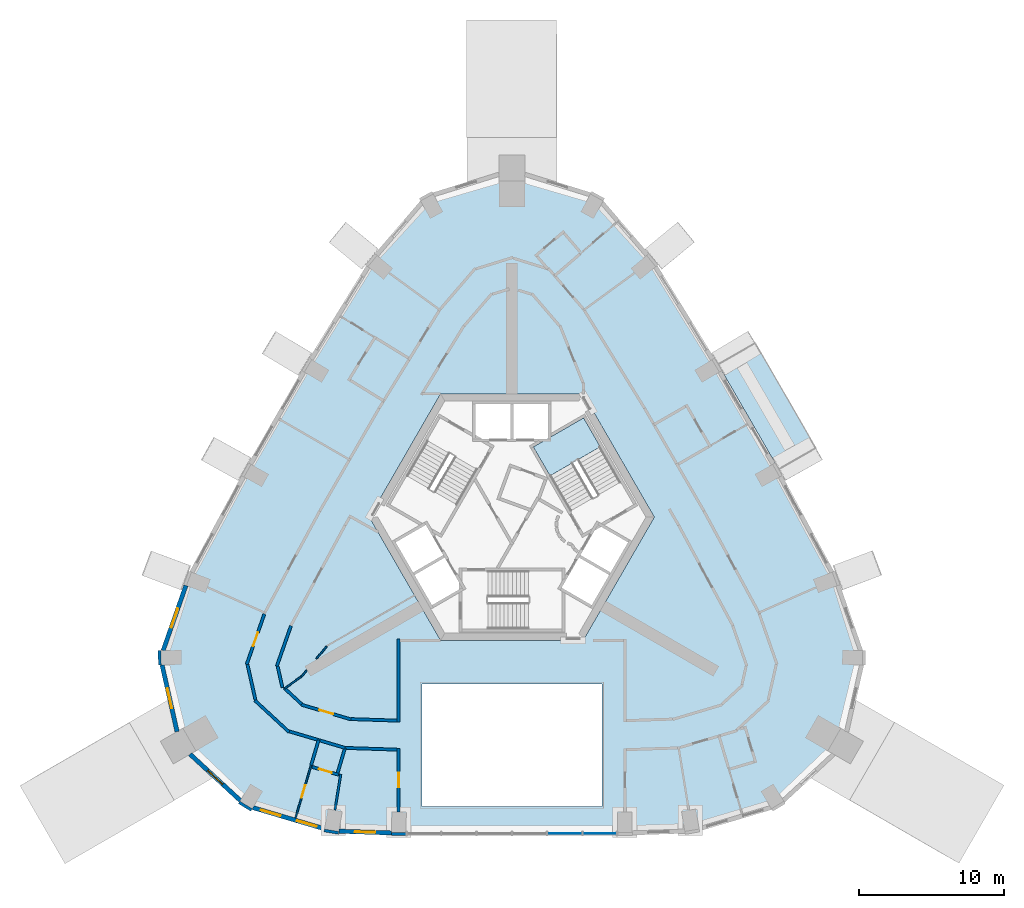
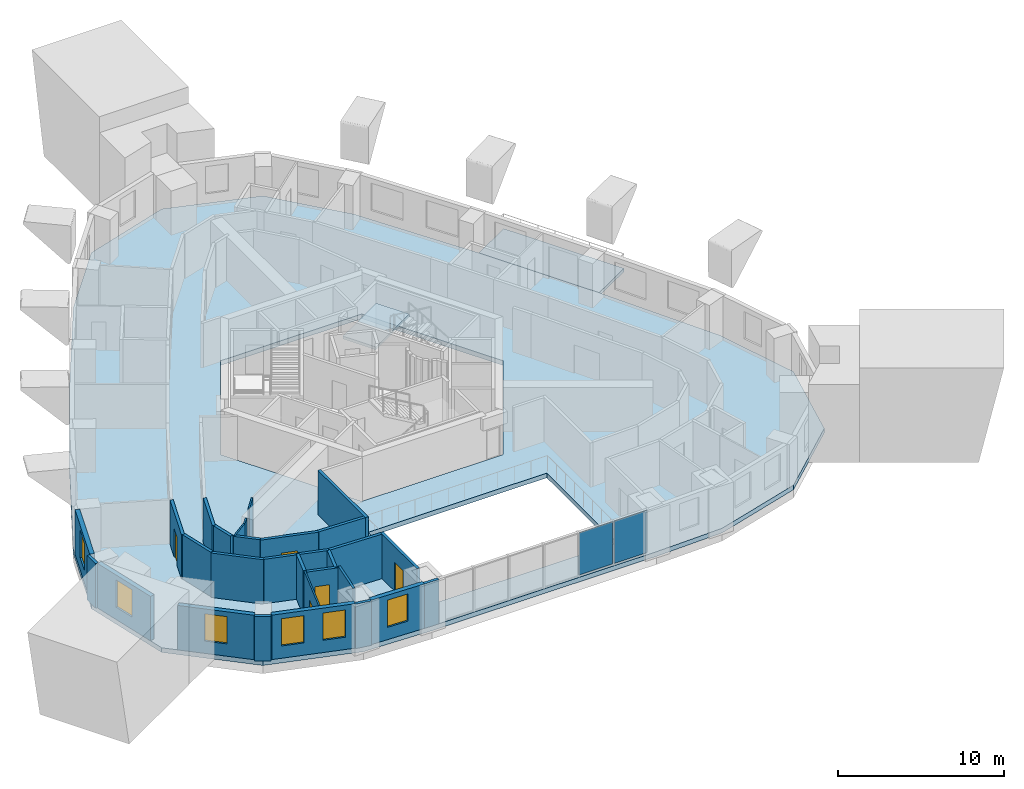
# One storey, part 3 of 11: 30 walls, 6 windows, 5 doors, 3 slabs, 2 plates, 11 openings, 2 elements without a shape of their own.
"""IFC4 building model written with IfcOpenShell, lengths in metres."""

from ifc_helpers import new_model, si_unit, direction, frame, frame_2d, origin, origin_2d, place, context, subcontext, project, spatial, polyline, rectangle, outline, extrude, material, layer, layer_set, type_object, element, fill, aggregate, save


model = new_model("IFC4")

# Units and contexts
model_context = context("Model", 3, precision=1e-05, world=origin(), true_north=direction((0.0, 1.0)))
body_context = subcontext(model_context, "Body", "Model", "MODEL_VIEW")
ifc_project = project(units=[si_unit("LENGTHUNIT", "METRE"), si_unit("AREAUNIT", "SQUARE_METRE"), si_unit("VOLUMEUNIT", "CUBIC_METRE"), si_unit("PLANEANGLEUNIT", "RADIAN"), si_unit("MASSUNIT", "GRAM", prefix="KILO")], contexts=[model_context])

# Site, building, storey
site_placement = place(None, origin())
site = spatial("IfcSite", under=ifc_project, at=site_placement, CompositionType="ELEMENT")
building_placement = place(site_placement, origin())
building = spatial("IfcBuilding", under=site, at=building_placement, Name="Entoto Arch Interchange Tower", CompositionType="ELEMENT")
storey_placement = place(building_placement, frame((0.0, 0.0, 318.800048828125)))
storey = spatial("IfcBuildingStorey", under=building, at=storey_placement, Name="L75", CompositionType="ELEMENT", Elevation=318.800048828125)

# Slab
ifc_material_1 = material(Name="Board-marked precast concrete C50/60", Category="concrete")
ifc_layer_1 = layer(ifc_material_1, 0.25)
ifc_layer_set_1 = layer_set([ifc_layer_1], Name="Board-marked precast concrete C50/60")
slab_type_1 = type_object("IfcSlabType", Name="BALCONY DECK PRECAST 250", PredefinedType="FLOOR", material=ifc_layer_set_1)
slab_1_placement = place(storey_placement, frame((0.0, 0.0, -0.25)))
element("IfcSlab", 1, at=slab_1_placement, inside=storey, type_object=slab_type_1, Name="Planted balcony NE-02 L75", PredefinedType="FLOOR", context=body_context, shape_type="SweptSolid", body=[
    extrude(outline(polyline([(18.385986328125, 5.797119140625), (14.212890625, 13.02392578125), (16.76806640625, 14.4990234375), (20.94091796875, 7.27197265625), (18.385986328125, 5.797119140625)])), origin(), (0.0, 0.0, 1.0), 0.25),
])

# Stair, slab
ifc_material_2 = material(Name="Concrete C40/50", Category="concrete")
stair_type = type_object("IfcStairType", Name="EXIT STAIR RC 1800", PredefinedType="HALF_TURN_STAIR", material=ifc_material_2)
stair_placement = place(storey_placement, origin())
stair = element("IfcStair", 2, at=stair_placement, inside=storey, type_object=stair_type, Name="L75 Exit stair NE", PredefinedType="HALF_TURN_STAIR")
ifc_layer_2 = layer(ifc_material_2, 0.199951171875)
ifc_layer_set_2 = layer_set([ifc_layer_2], Name="Concrete C40/50")
slab_type_2 = type_object("IfcSlabType", Name="EXIT STAIR LANDING RC 200", PredefinedType="LANDING", material=ifc_layer_set_2)
slab_2_placement = place(storey_placement, frame((0.0, 0.0, 1.599853515625)))
slab_2 = element("IfcSlab", 3, at=slab_2_placement, type_object=slab_type_2, Name="ST-NE landing 1", PredefinedType="LANDING", context=body_context, shape_type="SweptSolid", body=[
    extrude(outline(polyline([(6.093505859375, 7.345947265625), (4.943359375, 9.337890625), (1.479248046875, 7.337890625), (2.62939453125, 5.345947265625), (6.093505859375, 7.345947265625)])), origin(), (0.0, 0.0, 1.0), 0.2001953125),
])
aggregate(stair, [slab_2])

# Curtain wall, plates
ifc_material_3 = material(Name="Aluminium, anodised", Category="aluminium")
curtain_wall_type = type_object("IfcCurtainWallType", Name="CURTAIN WALL ATRIUM", PredefinedType="NOTDEFINED", material=ifc_material_3)
curtain_wall_placement = place(storey_placement, origin())
curtain_wall = element("IfcCurtainWall", 4, at=curtain_wall_placement, inside=storey, type_object=curtain_wall_type, Name="Atrium glazing S-02 L75", PredefinedType="NOTDEFINED")
ifc_material_4 = material(Name="Clear glass, low-e double glazed", Category="glass")
ifc_layer_3 = layer(ifc_material_4, 0.031982421875)
ifc_layer_set_3 = layer_set([ifc_layer_3], Name="Clear glass, low-e double glazed")
plate_type = type_object("IfcPlateType", Name="GLAZING PANEL ATRIUM 32", PredefinedType="CURTAIN_PANEL", material=ifc_layer_set_3)
plate_1_placement = place(storey_placement, frame((3.64892578125, -19.302978515625, 0.079833984375), z_axis=(0.0, 0.0, 1.0), x_axis=(1.0, 0.0, 0.0)))
plate_1 = element("IfcPlate", 5, at=plate_1_placement, type_object=plate_type, Name="CWA panel 5.1", PredefinedType="CURTAIN_PANEL", context=body_context, shape_type="SweptSolid", body=[
    extrude(rectangle(XDim=2.332763671875, YDim=0.031982421875, at=origin_2d()), origin(), (0.0, 0.0, 1.0), 3.10009765625),
])
plate_2_placement = place(storey_placement, frame((6.056640625, -19.302978515625, 0.079833984375), z_axis=(0.0, 0.0, 1.0), x_axis=(1.0, 0.0, 0.0)))
plate_2 = element("IfcPlate", 6, at=plate_2_placement, type_object=plate_type, Name="CWA panel 6.1", PredefinedType="CURTAIN_PANEL", context=body_context, shape_type="SweptSolid", body=[
    extrude(rectangle(XDim=2.28271484375, YDim=0.031982421875, at=origin_2d()), origin(), (0.0, 0.0, 1.0), 3.10009765625),
])
aggregate(curtain_wall, [plate_1, plate_2])

# Slab
ifc_layer_4 = layer(ifc_material_2, 0.340087890625)
ifc_layer_set_4 = layer_set([ifc_layer_4], Name="Concrete C40/50")
slab_type_3 = type_object("IfcSlabType", Name="Post-tensioned flat plate 340 C40/50", PredefinedType="FLOOR", material=ifc_layer_set_4)
slab_3_placement = place(storey_placement, frame((0.0, 0.0, -0.340087890625)))
element("IfcSlab", 7, at=slab_3_placement, inside=storey, type_object=slab_type_3, Name="Floor slab L75", PredefinedType="FLOOR", context=body_context, shape_type="SweptSolid", body=[
    extrude(outline(polyline([(-12.447998046875, -19.27197265625), (-7.800048828125, -19.427978515625), (7.800048828125, -19.427978515625), (12.447998046875, -19.27197265625), (18.41796875, -17.501953125), (22.99609375, -13.277099609375), (24.365966796875, -7.198974609375), (22.43310546875, -1.68798828125), (18.385986328125, 5.797119140625), (14.212890625, 13.02392578125), (9.75390625, 20.27197265625), (5.947998046875, 24.700927734375), (0.0, 26.552978515625), (-5.947998046875, 24.700927734375), (-9.75390625, 20.27197265625), (-14.212890625, 13.02392578125), (-18.385986328125, 5.797119140625), (-22.43310546875, -1.68798828125), (-24.365966796875, -7.198974609375), (-22.99609375, -13.277099609375), (-18.41796875, -17.501953125), (-12.447998046875, -19.27197265625)]), holes=[polyline([(6.199951171875, -17.427978515625), (6.199951171875, -9.0), (-6.199951171875, -9.0), (-6.199951171875, -17.427978515625), (6.199951171875, -17.427978515625)]), polyline([(9.81494140625, 2.5), (4.906982421875, 11.0), (-4.906982421875, 11.0), (-9.81494140625, 2.5), (-4.906982421875, -6.0), (4.906982421875, -6.0), (9.81494140625, 2.5)])]), origin(), (0.0, 0.0, 1.0), 0.340087890625),
])

# Walls
ifc_material_5 = material(Name="Gypsum board partition on steel studs", Category="steel")
ifc_layer_5 = layer(ifc_material_5, 0.10009765625)
ifc_layer_set_5 = layer_set([ifc_layer_5], Name="Gypsum board partition on steel studs")
wall_type_1 = type_object("IfcWallType", Name="PARTITION 100", PredefinedType="PARTITIONING", material=ifc_layer_set_5)
wall_1_placement = place(storey_placement, frame((-12.7529296875, -6.39892578125, 0.0), z_axis=(0.0, 0.0, 1.0), x_axis=(-0.640077503072, -0.768310347491, 0.0)))
element("IfcWall", 8, at=wall_1_placement, inside=storey, type_object=wall_type_1, Name="wall:L75:p078", PredefinedType="PARTITIONING", context=body_context, shape_type="SweptSolid", body=[
    extrude(rectangle(XDim=1.123291015625, YDim=0.10009765625, at=frame_2d((0.5615234375, 0.0))), origin(), (0.0, 0.0, 1.0), 3.260009765625),
])
wall_2_placement = place(storey_placement, frame((-14.507080078125, -8.486083984375, 0.0), z_axis=(0.0, 0.0, 1.0), x_axis=(-0.812782900134, -0.582566697684, 0.0)))
element("IfcWall", 9, at=wall_2_placement, inside=storey, type_object=wall_type_1, Name="wall:L75:p079", PredefinedType="PARTITIONING", context=body_context, shape_type="SweptSolid", body=[
    extrude(rectangle(XDim=1.4072265625, YDim=0.10009765625, at=frame_2d((0.70361328125, 0.0))), origin(), (0.0, 0.0, 1.0), 3.260009765625),
])

# Wall, opening, door
wall_3_placement = place(storey_placement, frame((-13.827880859375, -14.5869140625, 0.0), z_axis=(0.0, 0.0, 1.0), x_axis=(-0.284245833657, -0.958751430794, 0.0)))
wall_3 = element("IfcWall", 10, at=wall_3_placement, inside=storey, type_object=wall_type_1, Name="wall:L75:p104", PredefinedType="PARTITIONING", context=body_context, shape_type="SweptSolid", body=[
    extrude(rectangle(XDim=3.7998046875, YDim=0.10009765625, at=frame_2d((1.89990234375, 0.0))), origin(), (0.0, 0.0, 1.0), 3.260009765625),
])
opening_1_placement = place(wall_3_placement, frame((1.449951171875, 0.0, 0.0)))
opening_1 = element("IfcOpeningElement", 11, at=opening_1_placement, cuts=wall_3, Name="Opening L75-D14", PredefinedType="OPENING", context=body_context, shape_type="SweptSolid", body=[
    extrude(rectangle(XDim=0.89990234375, YDim=2.10009765625, at=frame_2d((0.449951171875, 1.050048828125))), frame((0.0, 0.06005859375, 0.0), z_axis=(0.0, -1.0, 0.0), x_axis=(1.0, 0.0, 0.0)), (0.0, 0.0, 1.0), 0.1201171875),
])
ifc_material_6 = material(Name="Timber door leaf in Steel S235 frame", Category="steel")
door_type_1 = type_object("IfcDoorType", Name="DOOR DS-09 900x2100", OperationType="SINGLE_SWING_LEFT", PredefinedType="DOOR", material=ifc_material_6)
door_1_placement = place(opening_1_placement, origin())
door_1 = element("IfcDoor", 12, at=door_1_placement, inside=storey, type_object=door_type_1, Name="door:L75:14", OperationType="SINGLE_SWING_RIGHT", OverallHeight=2.10009765625, OverallWidth=0.89990234375, PredefinedType="DOOR", context=body_context, shape_type="SweptSolid", body=[
    extrude(rectangle(XDim=0.89990234375, YDim=2.10009765625, at=frame_2d((0.449951171875, 1.050048828125))), frame((0.0, 0.02490234375, 0.0), z_axis=(0.0, -1.0, 0.0), x_axis=(1.0, 0.0, 0.0)), (0.0, 0.0, 1.0), 0.050048828125),
])
fill(opening_1, door_1)

# Walls
wall_4_placement = place(storey_placement, frame((-14.133056640625, -8.055908203125, 0.0), z_axis=(0.0, 0.0, 1.0), x_axis=(-0.640142394154, -0.768256282244, 0.0)))
element("IfcWall", 13, at=wall_4_placement, inside=storey, type_object=wall_type_1, Name="wall:L75:p078", PredefinedType="PARTITIONING", context=body_context, shape_type="SweptSolid", body=[
    extrude(rectangle(XDim=0.57177734375, YDim=0.10009765625, at=frame_2d((0.285888671875, 0.0))), origin(), (0.0, 0.0, 1.0), 3.260009765625),
])
ifc_layer_6 = layer(ifc_material_5, 0.14990234375)
ifc_layer_set_6 = layer_set([ifc_layer_6], Name="Gypsum board partition on steel studs")
wall_type_2 = type_object("IfcWallType", Name="PARTITION 150", PredefinedType="PARTITIONING", material=ifc_layer_set_6)
wall_5_placement = place(storey_placement, frame((-11.7900390625, -15.216064453125, 0.0), z_axis=(0.0, 0.0, 1.0), x_axis=(-0.159880010227, -0.98713645578, 0.0)))
element("IfcWall", 14, at=wall_5_placement, inside=storey, type_object=wall_type_2, Name="wall:L75:p107", PredefinedType="PARTITIONING", context=body_context, shape_type="SweptSolid", body=[
    extrude(rectangle(XDim=2.489013671875, YDim=0.14990234375, at=frame_2d((1.24462890625, 0.0))), origin(), (0.0, 0.0, 1.0), 3.260009765625),
])
ifc_layer_7 = layer(ifc_material_5, 0.199951171875)
ifc_layer_set_7 = layer_set([ifc_layer_7], Name="Gypsum board partition on steel studs")
wall_type_3 = type_object("IfcWallType", Name="PARTITION 200", PredefinedType="PARTITIONING", material=ifc_layer_set_7)
wall_6_placement = place(storey_placement, frame((-15.218994140625, -4.988037109375, 0.0), z_axis=(0.0, 0.0, 1.0), x_axis=(-0.330981563235, -0.943637220969, 0.0)))
element("IfcWall", 15, at=wall_6_placement, inside=storey, type_object=wall_type_3, Name="wall:L75:p023", PredefinedType="PARTITIONING", context=body_context, shape_type="SweptSolid", body=[
    extrude(rectangle(XDim=2.946044921875, YDim=0.199951171875, at=frame_2d((1.47314453125, 0.0))), origin(), (0.0, 0.0, 1.0), 3.260009765625),
])
wall_7_placement = place(storey_placement, frame((-16.138916015625, -7.77197265625, 0.0), z_axis=(0.0, 0.0, 1.0), x_axis=(0.220111291919, -0.975474766034, 0.0)))
element("IfcWall", 16, at=wall_7_placement, inside=storey, type_object=wall_type_3, Name="wall:L75:p024", PredefinedType="PARTITIONING", context=body_context, shape_type="SweptSolid", body=[
    extrude(rectangle(XDim=1.5029296875, YDim=0.199951171875, at=frame_2d((0.75146484375, 0.0))), origin(), (0.0, 0.0, 1.0), 3.260009765625),
])
wall_8_placement = place(storey_placement, frame((-15.68701171875, -9.27197265625, 0.0), z_axis=(0.0, 0.0, 1.0), x_axis=(0.734946370973, -0.67812523312, 0.0)))
element("IfcWall", 17, at=wall_8_placement, inside=storey, type_object=wall_type_3, Name="wall:L75:p026", PredefinedType="PARTITIONING", context=body_context, shape_type="SweptSolid", body=[
    extrude(rectangle(XDim=1.636962890625, YDim=0.199951171875, at=frame_2d((0.818359375, 0.0))), origin(), (0.0, 0.0, 1.0), 3.260009765625),
])

# Wall, opening, door
wall_9_placement = place(storey_placement, frame((-14.506103515625, -10.422119140625, 0.0), z_axis=(0.0, 0.0, 1.0), x_axis=(0.958760241353, -0.284216114252, 0.0)))
wall_9 = element("IfcWall", 18, at=wall_9_placement, inside=storey, type_object=wall_type_3, Name="wall:L75:p027", PredefinedType="PARTITIONING", context=body_context, shape_type="SweptSolid", body=[
    extrude(rectangle(XDim=3.57763671875, YDim=0.199951171875, at=frame_2d((1.788818359375, 0.0))), origin(), (0.0, 0.0, 1.0), 3.260009765625),
])
opening_2_placement = place(wall_9_placement, frame((1.2890625, 0.0, 0.0)))
opening_2 = element("IfcOpeningElement", 19, at=opening_2_placement, cuts=wall_9, Name="Opening L75-D23", PredefinedType="OPENING", context=body_context, shape_type="SweptSolid", body=[
    extrude(rectangle(XDim=1.0, YDim=2.10009765625, at=frame_2d((0.5, 1.050048828125))), frame((0.0, 0.10986328125, 0.0), z_axis=(0.0, -1.0, 0.0), x_axis=(1.0, 0.0, 0.0)), (0.0, 0.0, 1.0), 0.219970703125),
])
door_type_2 = type_object("IfcDoorType", Name="DOOR DS-10 1000x2100", OperationType="SINGLE_SWING_LEFT", PredefinedType="DOOR", material=ifc_material_6)
door_2_placement = place(opening_2_placement, origin())
door_2 = element("IfcDoor", 20, at=door_2_placement, inside=storey, type_object=door_type_2, Name="door:L75:23", OperationType="SINGLE_SWING_RIGHT", OverallHeight=2.10009765625, OverallWidth=1.0, PredefinedType="DOOR", context=body_context, shape_type="SweptSolid", body=[
    extrude(rectangle(XDim=1.0, YDim=2.10009765625, at=frame_2d((0.5, 1.050048828125))), frame((0.0, 0.02490234375, 0.0), z_axis=(0.0, -1.0, 0.0), x_axis=(1.0, 0.0, 0.0)), (0.0, 0.0, 1.0), 0.050048828125),
])
fill(opening_2, door_2)

# Walls
wall_10_placement = place(storey_placement, frame((-11.072021484375, -11.4140625, 0.0), z_axis=(0.0, 0.0, 1.0), x_axis=(0.999442599499, -0.033383982774, 0.0)))
element("IfcWall", 21, at=wall_10_placement, inside=storey, type_object=wall_type_3, Name="wall:L75:p028", PredefinedType="PARTITIONING", context=body_context, shape_type="SweptSolid", body=[
    extrude(rectangle(XDim=3.173828125, YDim=0.199951171875, at=frame_2d((1.5869140625, 0.0))), origin(), (0.0, 0.0, 1.0), 3.260009765625),
])
wall_11_placement = place(storey_placement, frame((-13.219970703125, -12.888916015625, 0.0), z_axis=(0.0, 0.0, 1.0), x_axis=(-0.958789155152, 0.284118559693, 0.0)))
element("IfcWall", 22, at=wall_11_placement, inside=storey, type_object=wall_type_3, Name="wall:L75:p051", PredefinedType="PARTITIONING", context=body_context, shape_type="SweptSolid", body=[
    extrude(rectangle(XDim=2.19970703125, YDim=0.199951171875, at=frame_2d((1.099853515625, 0.0))), origin(), (0.0, 0.0, 1.0), 3.260009765625),
])
wall_12_placement = place(storey_placement, frame((-15.35205078125, -12.302978515625, 0.0), z_axis=(0.0, 0.0, 1.0), x_axis=(-0.734786003021, 0.67829899732, 0.0)))
element("IfcWall", 23, at=wall_12_placement, inside=storey, type_object=wall_type_3, Name="wall:L75:p052", PredefinedType="PARTITIONING", context=body_context, shape_type="SweptSolid", body=[
    extrude(rectangle(XDim=3.219970703125, YDim=0.199951171875, at=frame_2d((1.60986328125, 0.0))), origin(), (0.0, 0.0, 1.0), 3.260009765625),
])
wall_13_placement = place(storey_placement, frame((-17.666015625, -10.090087890625, 0.0), z_axis=(0.0, 0.0, 1.0), x_axis=(-0.219979161162, 0.975504571314, 0.0)))
element("IfcWall", 24, at=wall_13_placement, inside=storey, type_object=wall_type_3, Name="wall:L75:p053", PredefinedType="PARTITIONING", context=body_context, shape_type="SweptSolid", body=[
    extrude(rectangle(XDim=2.50048828125, YDim=0.199951171875, at=frame_2d((1.250244140625, 0.0))), origin(), (0.0, 0.0, 1.0), 3.260009765625),
])

# Wall, opening, door
wall_14_placement = place(storey_placement, frame((-18.27099609375, -7.64794921875, 0.0), z_axis=(0.0, 0.0, 1.0), x_axis=(0.33112192567, 0.943587977001, 0.0)))
wall_14 = element("IfcWall", 25, at=wall_14_placement, inside=storey, type_object=wall_type_3, Name="wall:L75:p054", PredefinedType="PARTITIONING", context=body_context, shape_type="SweptSolid", body=[
    extrude(rectangle(XDim=3.678466796875, YDim=0.199951171875, at=frame_2d((1.83935546875, 0.0))), origin(), (0.0, 0.0, 1.0), 3.260009765625),
])
opening_3_placement = place(wall_14_placement, frame((1.339111328125, 0.0, 0.0)))
opening_3 = element("IfcOpeningElement", 26, at=opening_3_placement, cuts=wall_14, Name="Opening L75-D13", PredefinedType="OPENING", context=body_context, shape_type="SweptSolid", body=[
    extrude(rectangle(XDim=1.0, YDim=2.10009765625, at=frame_2d((0.5, 1.050048828125))), frame((0.0, 0.10986328125, 0.0), z_axis=(0.0, -1.0, 0.0), x_axis=(1.0, 0.0, 0.0)), (0.0, 0.0, 1.0), 0.219970703125),
])
ifc_material_7 = material(Name="Fire-rated Steel S235 door and frame", Category="steel")
door_type_3 = type_object("IfcDoorType", Name="DOOR FD-10 1000x2100", OperationType="SINGLE_SWING_LEFT", PredefinedType="DOOR", material=ifc_material_7)
door_3_placement = place(opening_3_placement, origin())
door_3 = element("IfcDoor", 27, at=door_3_placement, inside=storey, type_object=door_type_3, Name="door:L75:13", OperationType="SINGLE_SWING_LEFT", OverallHeight=2.10009765625, OverallWidth=1.0, PredefinedType="DOOR", context=body_context, shape_type="SweptSolid", body=[
    extrude(rectangle(XDim=1.0, YDim=2.10009765625, at=frame_2d((0.5, 1.050048828125))), frame((0.0, 0.02490234375, 0.0), z_axis=(0.0, -1.0, 0.0), x_axis=(1.0, 0.0, 0.0)), (0.0, 0.0, 1.0), 0.050048828125),
])
fill(opening_3, door_3)

# Walls
wall_15_placement = place(storey_placement, frame((-11.4951171875, -13.40087890625, 0.0), z_axis=(0.0, 0.0, 1.0), x_axis=(-0.958662482938, 0.284545679649, 0.0)))
element("IfcWall", 28, at=wall_15_placement, inside=storey, type_object=wall_type_3, Name="wall:L75:p055", PredefinedType="PARTITIONING", context=body_context, shape_type="SweptSolid", body=[
    extrude(rectangle(XDim=1.79931640625, YDim=0.199951171875, at=frame_2d((0.899658203125, 0.0))), origin(), (0.0, 0.0, 1.0), 3.260009765625),
])
wall_16_placement = place(storey_placement, frame((-7.89990234375, -13.52099609375, 0.0), z_axis=(0.0, 0.0, 1.0), x_axis=(-0.999437184802, 0.033545694739, 0.0)))
element("IfcWall", 29, at=wall_16_placement, inside=storey, type_object=wall_type_3, Name="wall:L75:p056", PredefinedType="PARTITIONING", context=body_context, shape_type="SweptSolid", body=[
    extrude(rectangle(XDim=3.697265625, YDim=0.199951171875, at=frame_2d((1.8486328125, 0.0))), origin(), (0.0, 0.0, 1.0), 3.260009765625),
])
wall_17_placement = place(storey_placement, frame((-7.800048828125, -11.6240234375, 0.0), z_axis=(0.0, 0.0, 1.0), x_axis=(0.0, 1.0, 0.0)))
element("IfcWall", 30, at=wall_17_placement, inside=storey, type_object=wall_type_3, Name="wall:L75:p071", PredefinedType="PARTITIONING", context=body_context, shape_type="SweptSolid", body=[
    extrude(rectangle(XDim=5.72509765625, YDim=0.199951171875, at=frame_2d((2.862548828125, 0.0))), origin(), (0.0, 0.0, 1.0), 3.260009765625),
])

# Wall, opening, door
wall_18_placement = place(storey_placement, frame((-7.800048828125, -17.80810546875, 0.0), z_axis=(0.0, 0.0, 1.0), x_axis=(0.0, 1.0, 0.0)))
wall_18 = element("IfcWall", 31, at=wall_18_placement, inside=storey, type_object=wall_type_3, Name="wall:L75:p074", PredefinedType="PARTITIONING", context=body_context, shape_type="SweptSolid", body=[
    extrude(rectangle(XDim=4.383056640625, YDim=0.199951171875, at=frame_2d((2.19140625, 0.0))), origin(), (0.0, 0.0, 1.0), 3.260009765625),
])
opening_4_placement = place(wall_18_placement, frame((1.69091796875, 0.0, 0.0)))
opening_4 = element("IfcOpeningElement", 32, at=opening_4_placement, cuts=wall_18, Name="Opening L75-D18", PredefinedType="OPENING", context=body_context, shape_type="SweptSolid", body=[
    extrude(rectangle(XDim=1.0, YDim=2.10009765625, at=frame_2d((0.5, 1.050048828125))), frame((0.0, 0.10986328125, 0.0), z_axis=(0.0, -1.0, 0.0), x_axis=(1.0, 0.0, 0.0)), (0.0, 0.0, 1.0), 0.219970703125),
])
door_4_placement = place(opening_4_placement, origin())
door_4 = element("IfcDoor", 33, at=door_4_placement, inside=storey, type_object=door_type_2, Name="door:L75:18", OperationType="SINGLE_SWING_LEFT", OverallHeight=2.10009765625, OverallWidth=1.0, PredefinedType="DOOR", context=body_context, shape_type="SweptSolid", body=[
    extrude(rectangle(XDim=1.0, YDim=2.10009765625, at=frame_2d((0.5, 1.050048828125))), frame((0.0, 0.02490234375, 0.0), z_axis=(0.0, -1.0, 0.0), x_axis=(1.0, 0.0, 0.0)), (0.0, 0.0, 1.0), 0.050048828125),
])
fill(opening_4, door_4)

# Wall
wall_19_placement = place(storey_placement, frame((-13.31591796875, -12.861083984375, 0.0), z_axis=(0.0, 0.0, 1.0), x_axis=(-0.283898972531, -0.958854198195, 0.0)))
element("IfcWall", 34, at=wall_19_placement, inside=storey, type_object=wall_type_3, Name="wall:L75:p105", PredefinedType="PARTITIONING", context=body_context, shape_type="SweptSolid", body=[
    extrude(rectangle(XDim=1.7998046875, YDim=0.199951171875, at=frame_2d((0.89990234375, 0.0))), origin(), (0.0, 0.0, 1.0), 3.260009765625),
])

# Wall, opening, door
wall_20_placement = place(storey_placement, frame((-13.760009765625, -14.7109375, 0.0), z_axis=(0.0, 0.0, 1.0), x_axis=(0.958772187895, -0.284175811285, 0.0)))
wall_20 = element("IfcWall", 35, at=wall_20_placement, inside=storey, type_object=wall_type_3, Name="wall:L75:p106", PredefinedType="PARTITIONING", context=body_context, shape_type="SweptSolid", body=[
    extrude(rectangle(XDim=1.900390625, YDim=0.199951171875, at=frame_2d((0.9501953125, 0.0))), origin(), (0.0, 0.0, 1.0), 3.260009765625),
])
opening_5_placement = place(wall_20_placement, frame((0.5, 0.0, 0.0)))
opening_5 = element("IfcOpeningElement", 36, at=opening_5_placement, cuts=wall_20, Name="Opening L75-D15", PredefinedType="OPENING", context=body_context, shape_type="SweptSolid", body=[
    extrude(rectangle(XDim=0.89990234375, YDim=2.10009765625, at=frame_2d((0.449951171875, 1.050048828125))), frame((0.0, 0.10986328125, 0.0), z_axis=(0.0, -1.0, 0.0), x_axis=(1.0, 0.0, 0.0)), (0.0, 0.0, 1.0), 0.219970703125),
])
door_5_placement = place(opening_5_placement, origin())
door_5 = element("IfcDoor", 37, at=door_5_placement, inside=storey, type_object=door_type_1, Name="door:L75:15", OperationType="SINGLE_SWING_LEFT", OverallHeight=2.10009765625, OverallWidth=0.89990234375, PredefinedType="DOOR", context=body_context, shape_type="SweptSolid", body=[
    extrude(rectangle(XDim=0.89990234375, YDim=2.10009765625, at=frame_2d((0.449951171875, 1.050048828125))), frame((0.0, 0.02490234375, 0.0), z_axis=(0.0, -1.0, 0.0), x_axis=(1.0, 0.0, 0.0)), (0.0, 0.0, 1.0), 0.050048828125),
])
fill(opening_5, door_5)

# Wall
wall_21_placement = place(storey_placement, frame((-11.4951171875, -13.40087890625, 0.0), z_axis=(0.0, 0.0, 1.0), x_axis=(-0.284465432667, -0.958686297815, 0.0)))
element("IfcWall", 38, at=wall_21_placement, inside=storey, type_object=wall_type_3, Name="wall:L75:p108", PredefinedType="PARTITIONING", context=body_context, shape_type="SweptSolid", body=[
    extrude(rectangle(XDim=1.87353515625, YDim=0.199951171875, at=frame_2d((0.936767578125, 0.0))), origin(), (0.0, 0.0, 1.0), 3.260009765625),
])

# Wall, opening, window
ifc_material_8 = material(Name="Welded tuff (ignimbrite) cladding, warm buff", Category="masonry")
ifc_layer_8 = layer(ifc_material_8, 0.300048828125)
ifc_layer_set_8 = layer_set([ifc_layer_8], Name="Welded tuff (ignimbrite) cladding, warm buff")
wall_type_4 = type_object("IfcWallType", Name="STONE INFILL WALL 300", PredefinedType="STANDARD", material=ifc_layer_set_8)
wall_22_placement = place(storey_placement, frame((-11.9189453125, -19.139892578125, 0.0), z_axis=(0.0, 0.0, 1.0), x_axis=(0.999441913039, -0.033404527552, 0.0)))
wall_22 = element("IfcWall", 39, at=wall_22_placement, inside=storey, type_object=wall_type_4, Name="Facade wall S-01 L75", PredefinedType="STANDARD", context=body_context, shape_type="SweptSolid", body=[
    extrude(rectangle(XDim=3.625, YDim=0.300048828125, at=frame_2d((1.8125, 0.0))), origin(), (0.0, 0.0, 1.0), 3.260009765625),
])
opening_6_placement = place(wall_22_placement, frame((1.113037109375, 0.0, 0.89990234375)))
opening_6 = element("IfcOpeningElement", 40, at=opening_6_placement, cuts=wall_22, Name="Opening WH-B", PredefinedType="OPENING", context=body_context, shape_type="SweptSolid", body=[
    extrude(rectangle(XDim=1.39990234375, YDim=2.0, at=frame_2d((0.699951171875, 1.0))), frame((0.0, 0.16015625, 0.0), z_axis=(0.0, -1.0, 0.0), x_axis=(1.0, 0.0, 0.0)), (0.0, 0.0, 1.0), 0.320068359375),
])
window_type = type_object("IfcWindowType", Name="WINDOW WH-B 1400x2000", PartitioningType="DOUBLE_PANEL_VERTICAL", PredefinedType="WINDOW", material=ifc_material_4)
window_1_placement = place(opening_6_placement, origin())
window_1 = element("IfcWindow", 41, at=window_1_placement, inside=storey, type_object=window_type, Name="Window WH-B S-01 L75", OverallHeight=2.0, OverallWidth=1.39990234375, PartitioningType="SINGLE_PANEL", PredefinedType="WINDOW", context=body_context, shape_type="SweptSolid", body=[
    extrude(rectangle(XDim=1.39990234375, YDim=2.0, at=frame_2d((0.699951171875, 1.0))), frame((0.0, 0.030029296875, 0.0), z_axis=(0.0, -1.0, 0.0), x_axis=(1.0, 0.0, 0.0)), (0.0, 0.0, 1.0), 0.06005859375),
])
fill(opening_6, window_1)

wall_23_placement = place(storey_placement, frame((-22.4580078125, -2.2119140625, 0.0), z_axis=(0.0, 0.0, 1.0), x_axis=(-0.330923030855, -0.943657749213, 0.0)))
wall_23 = element("IfcWall", 42, at=wall_23_placement, inside=storey, type_object=wall_type_4, Name="Facade wall SW-01 L75", PredefinedType="STANDARD", context=body_context, shape_type="SweptSolid", body=[
    extrude(rectangle(XDim=4.74755859375, YDim=0.300048828125, at=frame_2d((2.373779296875, 0.0))), origin(), (0.0, 0.0, 1.0), 3.260009765625),
])
opening_7_placement = place(wall_23_placement, frame((1.674072265625, 0.0, 0.89990234375)))
opening_7 = element("IfcOpeningElement", 43, at=opening_7_placement, cuts=wall_23, Name="Opening WH-B", PredefinedType="OPENING", context=body_context, shape_type="SweptSolid", body=[
    extrude(rectangle(XDim=1.39990234375, YDim=2.0, at=frame_2d((0.699951171875, 1.0))), frame((0.0, 0.16015625, 0.0), z_axis=(0.0, -1.0, 0.0), x_axis=(1.0, 0.0, 0.0)), (0.0, 0.0, 1.0), 0.320068359375),
])
window_2_placement = place(opening_7_placement, origin())
window_2 = element("IfcWindow", 44, at=window_2_placement, inside=storey, type_object=window_type, Name="Window WH-B SW-01 L75", OverallHeight=2.0, OverallWidth=1.39990234375, PartitioningType="SINGLE_PANEL", PredefinedType="WINDOW", context=body_context, shape_type="SweptSolid", body=[
    extrude(rectangle(XDim=1.39990234375, YDim=2.0, at=frame_2d((0.699951171875, 1.0))), frame((0.0, 0.030029296875, 0.0), z_axis=(0.0, -1.0, 0.0), x_axis=(1.0, 0.0, 0.0)), (0.0, 0.0, 1.0), 0.06005859375),
])
fill(opening_7, window_2)

wall_24_placement = place(storey_placement, frame((-24.10107421875, -7.69189453125, 0.0), z_axis=(0.0, 0.0, 1.0), x_axis=(0.219886442412, -0.975525475036, 0.0)))
wall_24 = element("IfcWall", 45, at=wall_24_placement, inside=storey, type_object=wall_type_4, Name="Facade wall SW-02 L75", PredefinedType="STANDARD", context=body_context, shape_type="SweptSolid", body=[
    extrude(rectangle(XDim=4.703125, YDim=0.300048828125, at=frame_2d((2.3515625, 0.0))), origin(), (0.0, 0.0, 1.0), 3.260009765625),
])
opening_8_placement = place(wall_24_placement, frame((1.652099609375, 0.0, 0.89990234375)))
opening_8 = element("IfcOpeningElement", 46, at=opening_8_placement, cuts=wall_24, Name="Opening WH-B", PredefinedType="OPENING", context=body_context, shape_type="SweptSolid", body=[
    extrude(rectangle(XDim=1.39990234375, YDim=2.0, at=frame_2d((0.699951171875, 1.0))), frame((0.0, 0.16015625, 0.0), z_axis=(0.0, -1.0, 0.0), x_axis=(1.0, 0.0, 0.0)), (0.0, 0.0, 1.0), 0.320068359375),
])
window_3_placement = place(opening_8_placement, origin())
window_3 = element("IfcWindow", 47, at=window_3_placement, inside=storey, type_object=window_type, Name="Window WH-B SW-02 L75", OverallHeight=2.0, OverallWidth=1.39990234375, PartitioningType="SINGLE_PANEL", PredefinedType="WINDOW", context=body_context, shape_type="SweptSolid", body=[
    extrude(rectangle(XDim=1.39990234375, YDim=2.0, at=frame_2d((0.699951171875, 1.0))), frame((0.0, 0.030029296875, 0.0), z_axis=(0.0, -1.0, 0.0), x_axis=(1.0, 0.0, 0.0)), (0.0, 0.0, 1.0), 0.06005859375),
])
fill(opening_8, window_3)

wall_25_placement = place(storey_placement, frame((-22.16796875, -13.8369140625, 0.0), z_axis=(0.0, 0.0, 1.0), x_axis=(0.734934798699, -0.678137774838, 0.0)))
wall_25 = element("IfcWall", 48, at=wall_25_placement, inside=storey, type_object=wall_type_4, Name="Facade wall SW-03 L75", PredefinedType="STANDARD", context=body_context, shape_type="SweptSolid", body=[
    extrude(rectangle(XDim=4.70263671875, YDim=0.300048828125, at=frame_2d((2.351318359375, 0.0))), origin(), (0.0, 0.0, 1.0), 3.260009765625),
])
opening_9_placement = place(wall_25_placement, frame((1.65087890625, 0.0, 0.89990234375)))
opening_9 = element("IfcOpeningElement", 49, at=opening_9_placement, cuts=wall_25, Name="Opening WH-B", PredefinedType="OPENING", context=body_context, shape_type="SweptSolid", body=[
    extrude(rectangle(XDim=1.39990234375, YDim=2.0, at=frame_2d((0.699951171875, 1.0))), frame((0.0, 0.16015625, 0.0), z_axis=(0.0, -1.0, 0.0), x_axis=(1.0, 0.0, 0.0)), (0.0, 0.0, 1.0), 0.320068359375),
])
window_4_placement = place(opening_9_placement, origin())
window_4 = element("IfcWindow", 50, at=window_4_placement, inside=storey, type_object=window_type, Name="Window WH-B SW-03 L75", OverallHeight=2.0, OverallWidth=1.39990234375, PartitioningType="SINGLE_PANEL", PredefinedType="WINDOW", context=body_context, shape_type="SweptSolid", body=[
    extrude(rectangle(XDim=1.39990234375, YDim=2.0, at=frame_2d((0.699951171875, 1.0))), frame((0.0, 0.030029296875, 0.0), z_axis=(0.0, -1.0, 0.0), x_axis=(1.0, 0.0, 0.0)), (0.0, 0.0, 1.0), 0.06005859375),
])
fill(opening_9, window_4)

# Wall, openings, windows
wall_26_placement = place(storey_placement, frame((-17.842041015625, -17.51611328125, 0.0), z_axis=(0.0, 0.0, 1.0), x_axis=(0.958757933751, -0.284223898486, 0.0)))
wall_26 = element("IfcWall", 51, at=wall_26_placement, inside=storey, type_object=wall_type_4, Name="Facade wall SW-04 L75", PredefinedType="STANDARD", context=body_context, shape_type="SweptSolid", body=[
    extrude(rectangle(XDim=5.150390625, YDim=0.300048828125, at=frame_2d((2.5751953125, 0.0))), origin(), (0.0, 0.0, 1.0), 3.260009765625),
])
opening_10_placement = place(wall_26_placement, frame((0.587890625, 0.0, 0.89990234375)))
opening_10 = element("IfcOpeningElement", 52, at=opening_10_placement, cuts=wall_26, Name="Opening WH-B", PredefinedType="OPENING", context=body_context, shape_type="SweptSolid", body=[
    extrude(rectangle(XDim=1.39990234375, YDim=2.0, at=frame_2d((0.699951171875, 1.0))), frame((0.0, 0.16015625, 0.0), z_axis=(0.0, -1.0, 0.0), x_axis=(1.0, 0.0, 0.0)), (0.0, 0.0, 1.0), 0.320068359375),
])
opening_11_placement = place(wall_26_placement, frame((3.1630859375, 0.0, 0.89990234375)))
opening_11 = element("IfcOpeningElement", 53, at=opening_11_placement, cuts=wall_26, Name="Opening WH-B", PredefinedType="OPENING", context=body_context, shape_type="SweptSolid", body=[
    extrude(rectangle(XDim=1.39990234375, YDim=2.0, at=frame_2d((0.699951171875, 1.0))), frame((0.0, 0.16015625, 0.0), z_axis=(0.0, -1.0, 0.0), x_axis=(1.0, 0.0, 0.0)), (0.0, 0.0, 1.0), 0.320068359375),
])
window_5_placement = place(opening_10_placement, origin())
window_5 = element("IfcWindow", 54, at=window_5_placement, inside=storey, type_object=window_type, Name="Window WH-B SW-04 L75", OverallHeight=2.0, OverallWidth=1.39990234375, PartitioningType="SINGLE_PANEL", PredefinedType="WINDOW", context=body_context, shape_type="SweptSolid", body=[
    extrude(rectangle(XDim=1.39990234375, YDim=2.0, at=frame_2d((0.699951171875, 1.0))), frame((0.0, 0.030029296875, 0.0), z_axis=(0.0, -1.0, 0.0), x_axis=(1.0, 0.0, 0.0)), (0.0, 0.0, 1.0), 0.06005859375),
])
fill(opening_10, window_5)
window_6_placement = place(opening_11_placement, origin())
window_6 = element("IfcWindow", 55, at=window_6_placement, inside=storey, type_object=window_type, Name="Window WH-B SW-04 L75", OverallHeight=2.0, OverallWidth=1.39990234375, PartitioningType="SINGLE_PANEL", PredefinedType="WINDOW", context=body_context, shape_type="SweptSolid", body=[
    extrude(rectangle(XDim=1.39990234375, YDim=2.0, at=frame_2d((0.699951171875, 1.0))), frame((0.0, 0.030029296875, 0.0), z_axis=(0.0, -1.0, 0.0), x_axis=(1.0, 0.0, 0.0)), (0.0, 0.0, 1.0), 0.06005859375),
])
fill(opening_11, window_6)

# Walls
ifc_layer_9 = layer(ifc_material_8, 0.199951171875)
ifc_layer_set_9 = layer_set([ifc_layer_9], Name="Welded tuff (ignimbrite) cladding, warm buff")
wall_type_5 = type_object("IfcWallType", Name="STONE PIER CLADDING 200", PredefinedType="STANDARD", material=ifc_layer_set_9)
for number, where, z_axis, x_axis, name in (
    (56, (-12.924072265625, -19.089111328125, 0.0), (0.0, 0.0, 1.0), (0.985800545746, -0.167920469293, 0.0), "Stone pier S01 L75"),
    (57, (-8.298095703125, -19.318115234375, 0.0), (0.0, 0.0, 1.0), (0.999804524294, -0.019771525017, 0.0), "Stone pier S02 L75"),
):
    element("IfcWall", number, at=place(storey_placement, frame(where, z_axis=z_axis, x_axis=x_axis)), inside=storey, type_object=wall_type_5, Name=name, PredefinedType="STANDARD", context=body_context, shape_type="SweptSolid", body=[
        extrude(rectangle(XDim=1.000244140625, YDim=0.199951171875, at=frame_2d((0.5, 0.0))), origin(), (0.0, 0.0, 1.0), 3.260009765625),
    ])
wall_27_placement = place(storey_placement, frame((-24.278076171875, -6.697021484375, 0.0), z_axis=(0.0, 0.0, 1.0), x_axis=(0.024186470916, -0.999707464524, 0.0)))
element("IfcWall", 58, at=wall_27_placement, inside=storey, type_object=wall_type_5, Name="Stone pier SW1 L75", PredefinedType="STANDARD", context=body_context, shape_type="SweptSolid", body=[
    extrude(rectangle(XDim=0.999267578125, YDim=0.199951171875, at=frame_2d((0.49951171875, 0.0))), origin(), (0.0, 0.0, 1.0), 3.260009765625),
])
wall_28_placement = place(storey_placement, frame((-18.79296875, -17.156005859375, 0.0), z_axis=(0.0, 0.0, 1.0), x_axis=(0.853679739553, -0.520798331677, 0.0)))
element("IfcWall", 59, at=wall_28_placement, inside=storey, type_object=wall_type_5, Name="Stone pier SW3 L75", PredefinedType="STANDARD", context=body_context, shape_type="SweptSolid", body=[
    extrude(rectangle(XDim=1.00048828125, YDim=0.199951171875, at=frame_2d((0.500244140625, 0.0))), origin(), (0.0, 0.0, 1.0), 3.260009765625),
])

save(model, "model.ifc")
